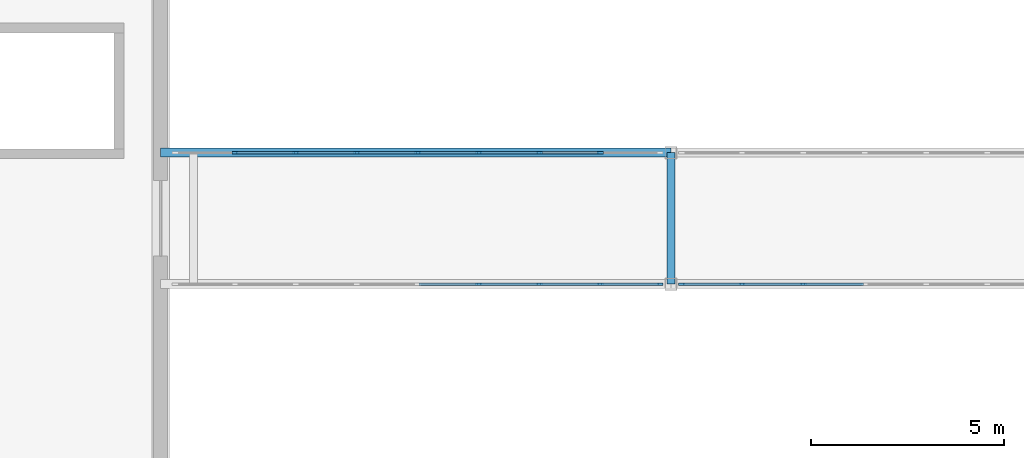
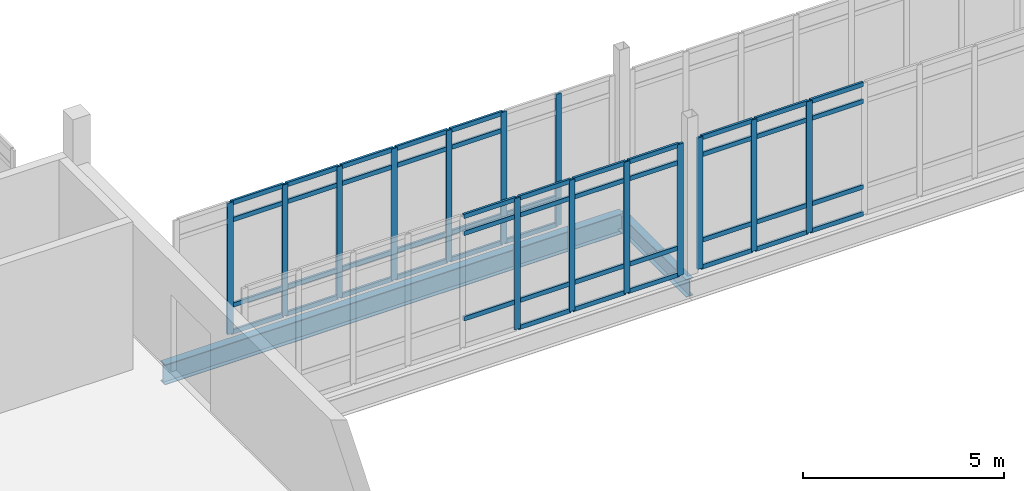
# One storey, part 11 of 101: 63 members, 2 beams, 3 elements without a shape of their own.
"""IFC4 building model written with IfcOpenShell, lengths in metres."""

from ifc_helpers import new_model, si_unit, direction, frame, origin, origin_2d, place, context, subcontext, project, spatial, rectangle, i_section, extrude, material, material_profile, profile_set, type_object, element, aggregate, save


model = new_model("IFC4")

# Units and contexts
model_context = context("Model", 3, precision=1e-05, world=origin(), true_north=direction((0.0, 1.0)))
body_context = subcontext(model_context, "Body", "Model", "MODEL_VIEW")
ifc_project = project(units=[si_unit("LENGTHUNIT", "METRE"), si_unit("AREAUNIT", "SQUARE_METRE"), si_unit("VOLUMEUNIT", "CUBIC_METRE"), si_unit("PLANEANGLEUNIT", "RADIAN"), si_unit("MASSUNIT", "GRAM", prefix="KILO")], contexts=[model_context])

# Site, building, storey
site_placement = place(None, origin())
site = spatial("IfcSite", under=ifc_project, at=site_placement, CompositionType="ELEMENT")
building_placement = place(site_placement, origin())
building = spatial("IfcBuilding", under=site, at=building_placement, Name="Dornvale Research Institute", CompositionType="ELEMENT")
storey_placement = place(building_placement, frame((0.0, 0.0, 10.199951171875)))
storey = spatial("IfcBuildingStorey", under=building, at=storey_placement, Name="L02", CompositionType="ELEMENT", Elevation=10.199951171875)

# Beams
ifc_material_1 = material(Name="Steel ASTM A992 Grade 50", Category="steel")
ifc_material_profile_1 = material_profile(ifc_material_1, i_section(OverallWidth=0.2099609375, OverallDepth=0.535888671875, WebThickness=0.010986328125, FlangeThickness=0.017333984375, at=origin_2d()), Name="W21X68")
ifc_profile_set_1 = profile_set([ifc_material_profile_1], Name="Steel ASTM A992 Grade 50")
beam_type_1 = type_object("IfcBeamType", Name="Beam_Steel_W21X68_Ext", PredefinedType="BEAM", material=ifc_profile_set_1)
beam_1_placement = place(storey_placement, frame((59.39990234375, 18.699951171875, -0.488037109375), z_axis=(0.0, 1.0, 0.0), x_axis=(-1.0, 0.0, 0.0)))
element("IfcBeam", 1, at=beam_1_placement, inside=storey, type_object=beam_type_1, Name="L02 BR-6 portal cap beam #2026", PredefinedType="BEAM", context=body_context, shape_type="SweptSolid", body=[
    extrude(i_section(OverallWidth=0.2099609375, OverallDepth=0.535888671875, WebThickness=0.010986328125, FlangeThickness=0.017333984375, at=origin_2d()), origin(), (0.0, 0.0, 1.0), 3.400146484375),
])
ifc_material_2 = material(Name="Steel ASTM A992 Grade 50", Category="steel")
ifc_material_profile_2 = material_profile(ifc_material_2, i_section(OverallWidth=0.22900390625, OverallDepth=0.612060546875, WebThickness=0.011962890625, FlangeThickness=0.01953125, at=origin_2d()), Name="W24X84")
ifc_profile_set_2 = profile_set([ifc_material_profile_2], Name="Steel ASTM A992 Grade 50")
beam_type_2 = type_object("IfcBeamType", Name="Beam_Steel_W24X84_Bridge", PredefinedType="BEAM", material=ifc_profile_set_2)
beam_2_placement = place(storey_placement, frame((46.199951171875, 22.10009765625, -0.52587890625), z_axis=(1.0, 0.0, 0.0), x_axis=(0.0, 1.0, 0.0)))
element("IfcBeam", 2, at=beam_2_placement, inside=storey, type_object=beam_type_2, Name="L02 BR-6 north girder #2026", PredefinedType="BEAM", context=body_context, shape_type="SweptSolid", body=[
    extrude(i_section(OverallWidth=0.22900390625, OverallDepth=0.612060546875, WebThickness=0.011962890625, FlangeThickness=0.01953125, at=origin_2d()), origin(), (0.0, 0.0, 1.0), 13.199951171875),
])

# Curtain wall, members
ifc_material_3 = material(Name="Low-E Argon Double Insulating Glazing Unit", Category="glass")
curtain_wall_type_1 = type_object("IfcCurtainWallType", Name="UnitisedCurtainWall_V2_12600x4000", PredefinedType="USERDEFINED", material=ifc_material_3)
curtain_wall_1_placement = place(storey_placement, origin())
curtain_wall_1 = element("IfcCurtainWall", 3, at=curtain_wall_1_placement, inside=storey, type_object=curtain_wall_type_1, Name="L02 V2 unitised curtain wall CW-41 #223", ObjectType="UNITISED CURTAIN WALL", PredefinedType="USERDEFINED")
ifc_material_4 = material(Name="Anodized Aluminum AA 6063-T6 Thermally Broken Frame", Category="aluminium")
ifc_material_profile_3 = material_profile(ifc_material_4, rectangle(XDim=0.06494140625, YDim=0.1650390625, at=origin_2d()), Name="ALU MULLION 65x165")
ifc_profile_set_3 = profile_set([ifc_material_profile_3], Name="Anodized Aluminum AA 6063-T6 Thermally Broken Frame")
member_type_1 = type_object("IfcMemberType", Name="Mullion_Atrium_65x165", PredefinedType="MULLION", material=ifc_profile_set_3)
member_1_placement = place(storey_placement, frame((48.125, 22.10009765625, 0.0), z_axis=(0.0, 0.0, 1.0), x_axis=(0.0, 1.0, 0.0)))
member_1 = element("IfcMember", 4, at=member_1_placement, type_object=member_type_1, Name="CW-41 mullion 2", PredefinedType="MULLION", context=body_context, shape_type="SweptSolid", body=[
    extrude(rectangle(XDim=0.06494140625, YDim=0.1650390625, at=origin_2d()), origin(), (0.0, 0.0, 1.0), 4.0),
])
member_2_placement = place(storey_placement, frame((49.699951171875, 22.10009765625, 0.0), z_axis=(0.0, 0.0, 1.0), x_axis=(0.0, 1.0, 0.0)))
member_2 = element("IfcMember", 5, at=member_2_placement, type_object=member_type_1, Name="CW-41 mullion 3", PredefinedType="MULLION", context=body_context, shape_type="SweptSolid", body=[
    extrude(rectangle(XDim=0.06494140625, YDim=0.1650390625, at=origin_2d()), origin(), (0.0, 0.0, 1.0), 4.0),
])
member_3_placement = place(storey_placement, frame((51.27490234375, 22.10009765625, 0.0), z_axis=(0.0, 0.0, 1.0), x_axis=(0.0, 1.0, 0.0)))
member_3 = element("IfcMember", 6, at=member_3_placement, type_object=member_type_1, Name="CW-41 mullion 4", PredefinedType="MULLION", context=body_context, shape_type="SweptSolid", body=[
    extrude(rectangle(XDim=0.06494140625, YDim=0.1650390625, at=origin_2d()), origin(), (0.0, 0.0, 1.0), 4.0),
])
member_4_placement = place(storey_placement, frame((52.85009765625, 22.10009765625, 0.0), z_axis=(0.0, 0.0, 1.0), x_axis=(0.0, 1.0, 0.0)))
member_4 = element("IfcMember", 7, at=member_4_placement, type_object=member_type_1, Name="CW-41 mullion 5", PredefinedType="MULLION", context=body_context, shape_type="SweptSolid", body=[
    extrude(rectangle(XDim=0.06494140625, YDim=0.1650390625, at=origin_2d()), origin(), (0.0, 0.0, 1.0), 4.0),
])
member_5_placement = place(storey_placement, frame((54.425048828125, 22.10009765625, 0.0), z_axis=(0.0, 0.0, 1.0), x_axis=(0.0, 1.0, 0.0)))
member_5 = element("IfcMember", 8, at=member_5_placement, type_object=member_type_1, Name="CW-41 mullion 6", PredefinedType="MULLION", context=body_context, shape_type="SweptSolid", body=[
    extrude(rectangle(XDim=0.06494140625, YDim=0.1650390625, at=origin_2d()), origin(), (0.0, 0.0, 1.0), 4.0),
])
member_6_placement = place(storey_placement, frame((56.0, 22.10009765625, 0.0), z_axis=(0.0, 0.0, 1.0), x_axis=(0.0, 1.0, 0.0)))
member_6 = element("IfcMember", 9, at=member_6_placement, type_object=member_type_1, Name="CW-41 mullion 7", PredefinedType="MULLION", context=body_context, shape_type="SweptSolid", body=[
    extrude(rectangle(XDim=0.06494140625, YDim=0.1650390625, at=origin_2d()), origin(), (0.0, 0.0, 1.0), 4.0),
])
member_7_placement = place(storey_placement, frame((57.574951171875, 22.10009765625, 0.0), z_axis=(0.0, 0.0, 1.0), x_axis=(0.0, 1.0, 0.0)))
member_7 = element("IfcMember", 10, at=member_7_placement, type_object=member_type_1, Name="CW-41 mullion 8", PredefinedType="MULLION", context=body_context, shape_type="SweptSolid", body=[
    extrude(rectangle(XDim=0.06494140625, YDim=0.1650390625, at=origin_2d()), origin(), (0.0, 0.0, 1.0), 4.0),
])

curtain_wall_2_placement = place(storey_placement, origin())
curtain_wall_2 = element("IfcCurtainWall", 11, at=curtain_wall_2_placement, inside=storey, type_object=curtain_wall_type_1, Name="L02 V2 unitised curtain wall CW-41 #224", ObjectType="UNITISED CURTAIN WALL", PredefinedType="USERDEFINED")
member_8_placement = place(storey_placement, frame((59.117431640625, 18.699951171875, 0.0), z_axis=(0.0, 0.0, 1.0), x_axis=(0.0, -1.0, 0.0)))
member_8 = element("IfcMember", 12, at=member_8_placement, type_object=member_type_1, Name="CW-41 mullion 1", PredefinedType="MULLION", context=body_context, shape_type="SweptSolid", body=[
    extrude(rectangle(XDim=0.06494140625, YDim=0.1650390625, at=origin_2d()), origin(), (0.0, 0.0, 1.0), 4.0),
])
member_9_placement = place(storey_placement, frame((57.574951171875, 18.699951171875, 0.0), z_axis=(0.0, 0.0, 1.0), x_axis=(0.0, -1.0, 0.0)))
member_9 = element("IfcMember", 13, at=member_9_placement, type_object=member_type_1, Name="CW-41 mullion 2", PredefinedType="MULLION", context=body_context, shape_type="SweptSolid", body=[
    extrude(rectangle(XDim=0.06494140625, YDim=0.1650390625, at=origin_2d()), origin(), (0.0, 0.0, 1.0), 4.0),
])
member_10_placement = place(storey_placement, frame((56.0, 18.699951171875, 0.0), z_axis=(0.0, 0.0, 1.0), x_axis=(0.0, -1.0, 0.0)))
member_10 = element("IfcMember", 14, at=member_10_placement, type_object=member_type_1, Name="CW-41 mullion 3", PredefinedType="MULLION", context=body_context, shape_type="SweptSolid", body=[
    extrude(rectangle(XDim=0.06494140625, YDim=0.1650390625, at=origin_2d()), origin(), (0.0, 0.0, 1.0), 4.0),
])
member_11_placement = place(storey_placement, frame((54.425048828125, 18.699951171875, 0.0), z_axis=(0.0, 0.0, 1.0), x_axis=(0.0, -1.0, 0.0)))
member_11 = element("IfcMember", 15, at=member_11_placement, type_object=member_type_1, Name="CW-41 mullion 4", PredefinedType="MULLION", context=body_context, shape_type="SweptSolid", body=[
    extrude(rectangle(XDim=0.06494140625, YDim=0.1650390625, at=origin_2d()), origin(), (0.0, 0.0, 1.0), 4.0),
])

ifc_material_5 = material(Name="Low-E Argon Double Insulating Glazing Unit", Category="glass")
curtain_wall_type_2 = type_object("IfcCurtainWallType", Name="UnitisedCurtainWall_V2_12700x4000", PredefinedType="USERDEFINED", material=ifc_material_5)
curtain_wall_3_placement = place(storey_placement, origin())
curtain_wall_3 = element("IfcCurtainWall", 16, at=curtain_wall_3_placement, inside=storey, type_object=curtain_wall_type_2, Name="L02 V2 unitised curtain wall CW-42 #226", ObjectType="UNITISED CURTAIN WALL", PredefinedType="USERDEFINED")
member_12_placement = place(storey_placement, frame((62.824951171875, 18.699951171875, 0.0), z_axis=(0.0, 0.0, 1.0), x_axis=(0.0, -1.0, 0.0)))
member_12 = element("IfcMember", 17, at=member_12_placement, type_object=member_type_1, Name="CW-42 mullion 7", PredefinedType="MULLION", context=body_context, shape_type="SweptSolid", body=[
    extrude(rectangle(XDim=0.06494140625, YDim=0.1650390625, at=origin_2d()), origin(), (0.0, 0.0, 1.0), 4.0),
])
member_13_placement = place(storey_placement, frame((61.237548828125, 18.699951171875, 0.0), z_axis=(0.0, 0.0, 1.0), x_axis=(0.0, -1.0, 0.0)))
member_13 = element("IfcMember", 18, at=member_13_placement, type_object=member_type_1, Name="CW-42 mullion 8", PredefinedType="MULLION", context=body_context, shape_type="SweptSolid", body=[
    extrude(rectangle(XDim=0.06494140625, YDim=0.1650390625, at=origin_2d()), origin(), (0.0, 0.0, 1.0), 4.0),
])
member_14_placement = place(storey_placement, frame((59.6826171875, 18.699951171875, 0.0), z_axis=(0.0, 0.0, 1.0), x_axis=(0.0, -1.0, 0.0)))
member_14 = element("IfcMember", 19, at=member_14_placement, type_object=member_type_1, Name="CW-42 mullion 9", PredefinedType="MULLION", context=body_context, shape_type="SweptSolid", body=[
    extrude(rectangle(XDim=0.06494140625, YDim=0.1650390625, at=origin_2d()), origin(), (0.0, 0.0, 1.0), 4.0),
])

# Member
ifc_material_6 = material(Name="Anodized Aluminum AA 6063-T6 Thermally Broken Frame", Category="aluminium")
ifc_material_profile_4 = material_profile(ifc_material_6, rectangle(XDim=0.06494140625, YDim=0.135009765625, at=origin_2d()), Name="ALU TRANSOM 65x135")
ifc_profile_set_4 = profile_set([ifc_material_profile_4], Name="Anodized Aluminum AA 6063-T6 Thermally Broken Frame")
member_type_2 = type_object("IfcMemberType", Name="Transom_CW_65x135", PredefinedType="USERDEFINED", material=ifc_profile_set_4)
member_15_placement = place(storey_placement, frame((48.157470703125, 22.10009765625, 0.032470703125), z_axis=(1.0, 0.0, 0.0), x_axis=(0.0, 1.0, 0.0)))
member_15 = element("IfcMember", 20, at=member_15_placement, type_object=member_type_2, Name="CW-41 transom 2.1", ObjectType="TRANSOM", PredefinedType="USERDEFINED", context=body_context, shape_type="SweptSolid", body=[
    extrude(rectangle(XDim=0.06494140625, YDim=0.135009765625, at=origin_2d()), origin(), (0.0, 0.0, 1.0), 1.510009765625),
])

member_16_placement = place(storey_placement, frame((48.157470703125, 22.10009765625, 0.85009765625), z_axis=(1.0, 0.0, 0.0), x_axis=(0.0, 1.0, 0.0)))
member_16 = element("IfcMember", 21, at=member_16_placement, type_object=member_type_2, Name="CW-41 transom 2.2", ObjectType="TRANSOM", PredefinedType="USERDEFINED", context=body_context, shape_type="SweptSolid", body=[
    extrude(rectangle(XDim=0.06494140625, YDim=0.135009765625, at=origin_2d()), origin(), (0.0, 0.0, 1.0), 1.510009765625),
])

member_17_placement = place(storey_placement, frame((48.157470703125, 22.10009765625, 3.449951171875), z_axis=(1.0, 0.0, 0.0), x_axis=(0.0, 1.0, 0.0)))
member_17 = element("IfcMember", 22, at=member_17_placement, type_object=member_type_2, Name="CW-41 transom 2.3", ObjectType="TRANSOM", PredefinedType="USERDEFINED", context=body_context, shape_type="SweptSolid", body=[
    extrude(rectangle(XDim=0.06494140625, YDim=0.135009765625, at=origin_2d()), origin(), (0.0, 0.0, 1.0), 1.510009765625),
])

member_18_placement = place(storey_placement, frame((48.157470703125, 22.10009765625, 3.967529296875), z_axis=(1.0, 0.0, 0.0), x_axis=(0.0, 1.0, 0.0)))
member_18 = element("IfcMember", 23, at=member_18_placement, type_object=member_type_2, Name="CW-41 transom 2.4", ObjectType="TRANSOM", PredefinedType="USERDEFINED", context=body_context, shape_type="SweptSolid", body=[
    extrude(rectangle(XDim=0.06494140625, YDim=0.135009765625, at=origin_2d()), origin(), (0.0, 0.0, 1.0), 1.510009765625),
])

member_19_placement = place(storey_placement, frame((49.732421875, 22.10009765625, 0.032470703125), z_axis=(1.0, 0.0, 0.0), x_axis=(0.0, 1.0, 0.0)))
member_19 = element("IfcMember", 24, at=member_19_placement, type_object=member_type_2, Name="CW-41 transom 3.1", ObjectType="TRANSOM", PredefinedType="USERDEFINED", context=body_context, shape_type="SweptSolid", body=[
    extrude(rectangle(XDim=0.06494140625, YDim=0.135009765625, at=origin_2d()), origin(), (0.0, 0.0, 1.0), 1.510009765625),
])

member_20_placement = place(storey_placement, frame((49.732421875, 22.10009765625, 0.85009765625), z_axis=(1.0, 0.0, 0.0), x_axis=(0.0, 1.0, 0.0)))
member_20 = element("IfcMember", 25, at=member_20_placement, type_object=member_type_2, Name="CW-41 transom 3.2", ObjectType="TRANSOM", PredefinedType="USERDEFINED", context=body_context, shape_type="SweptSolid", body=[
    extrude(rectangle(XDim=0.06494140625, YDim=0.135009765625, at=origin_2d()), origin(), (0.0, 0.0, 1.0), 1.510009765625),
])

member_21_placement = place(storey_placement, frame((49.732421875, 22.10009765625, 3.449951171875), z_axis=(1.0, 0.0, 0.0), x_axis=(0.0, 1.0, 0.0)))
member_21 = element("IfcMember", 26, at=member_21_placement, type_object=member_type_2, Name="CW-41 transom 3.3", ObjectType="TRANSOM", PredefinedType="USERDEFINED", context=body_context, shape_type="SweptSolid", body=[
    extrude(rectangle(XDim=0.06494140625, YDim=0.135009765625, at=origin_2d()), origin(), (0.0, 0.0, 1.0), 1.510009765625),
])

member_22_placement = place(storey_placement, frame((49.732421875, 22.10009765625, 3.967529296875), z_axis=(1.0, 0.0, 0.0), x_axis=(0.0, 1.0, 0.0)))
member_22 = element("IfcMember", 27, at=member_22_placement, type_object=member_type_2, Name="CW-41 transom 3.4", ObjectType="TRANSOM", PredefinedType="USERDEFINED", context=body_context, shape_type="SweptSolid", body=[
    extrude(rectangle(XDim=0.06494140625, YDim=0.135009765625, at=origin_2d()), origin(), (0.0, 0.0, 1.0), 1.510009765625),
])

member_23_placement = place(storey_placement, frame((51.3076171875, 22.10009765625, 0.032470703125), z_axis=(1.0, 0.0, 0.0), x_axis=(0.0, 1.0, 0.0)))
member_23 = element("IfcMember", 28, at=member_23_placement, type_object=member_type_2, Name="CW-41 transom 4.1", ObjectType="TRANSOM", PredefinedType="USERDEFINED", context=body_context, shape_type="SweptSolid", body=[
    extrude(rectangle(XDim=0.06494140625, YDim=0.135009765625, at=origin_2d()), origin(), (0.0, 0.0, 1.0), 1.509765625),
])

member_24_placement = place(storey_placement, frame((51.3076171875, 22.10009765625, 0.85009765625), z_axis=(1.0, 0.0, 0.0), x_axis=(0.0, 1.0, 0.0)))
member_24 = element("IfcMember", 29, at=member_24_placement, type_object=member_type_2, Name="CW-41 transom 4.2", ObjectType="TRANSOM", PredefinedType="USERDEFINED", context=body_context, shape_type="SweptSolid", body=[
    extrude(rectangle(XDim=0.06494140625, YDim=0.135009765625, at=origin_2d()), origin(), (0.0, 0.0, 1.0), 1.509765625),
])

member_25_placement = place(storey_placement, frame((51.3076171875, 22.10009765625, 3.449951171875), z_axis=(1.0, 0.0, 0.0), x_axis=(0.0, 1.0, 0.0)))
member_25 = element("IfcMember", 30, at=member_25_placement, type_object=member_type_2, Name="CW-41 transom 4.3", ObjectType="TRANSOM", PredefinedType="USERDEFINED", context=body_context, shape_type="SweptSolid", body=[
    extrude(rectangle(XDim=0.06494140625, YDim=0.135009765625, at=origin_2d()), origin(), (0.0, 0.0, 1.0), 1.509765625),
])

member_26_placement = place(storey_placement, frame((51.3076171875, 22.10009765625, 3.967529296875), z_axis=(1.0, 0.0, 0.0), x_axis=(0.0, 1.0, 0.0)))
member_26 = element("IfcMember", 31, at=member_26_placement, type_object=member_type_2, Name="CW-41 transom 4.4", ObjectType="TRANSOM", PredefinedType="USERDEFINED", context=body_context, shape_type="SweptSolid", body=[
    extrude(rectangle(XDim=0.06494140625, YDim=0.135009765625, at=origin_2d()), origin(), (0.0, 0.0, 1.0), 1.509765625),
])

member_27_placement = place(storey_placement, frame((52.882568359375, 22.10009765625, 0.032470703125), z_axis=(1.0, 0.0, 0.0), x_axis=(0.0, 1.0, 0.0)))
member_27 = element("IfcMember", 32, at=member_27_placement, type_object=member_type_2, Name="CW-41 transom 5.1", ObjectType="TRANSOM", PredefinedType="USERDEFINED", context=body_context, shape_type="SweptSolid", body=[
    extrude(rectangle(XDim=0.06494140625, YDim=0.135009765625, at=origin_2d()), origin(), (0.0, 0.0, 1.0), 1.510009765625),
])

member_28_placement = place(storey_placement, frame((52.882568359375, 22.10009765625, 0.85009765625), z_axis=(1.0, 0.0, 0.0), x_axis=(0.0, 1.0, 0.0)))
member_28 = element("IfcMember", 33, at=member_28_placement, type_object=member_type_2, Name="CW-41 transom 5.2", ObjectType="TRANSOM", PredefinedType="USERDEFINED", context=body_context, shape_type="SweptSolid", body=[
    extrude(rectangle(XDim=0.06494140625, YDim=0.135009765625, at=origin_2d()), origin(), (0.0, 0.0, 1.0), 1.510009765625),
])

member_29_placement = place(storey_placement, frame((52.882568359375, 22.10009765625, 3.449951171875), z_axis=(1.0, 0.0, 0.0), x_axis=(0.0, 1.0, 0.0)))
member_29 = element("IfcMember", 34, at=member_29_placement, type_object=member_type_2, Name="CW-41 transom 5.3", ObjectType="TRANSOM", PredefinedType="USERDEFINED", context=body_context, shape_type="SweptSolid", body=[
    extrude(rectangle(XDim=0.06494140625, YDim=0.135009765625, at=origin_2d()), origin(), (0.0, 0.0, 1.0), 1.510009765625),
])

member_30_placement = place(storey_placement, frame((52.882568359375, 22.10009765625, 3.967529296875), z_axis=(1.0, 0.0, 0.0), x_axis=(0.0, 1.0, 0.0)))
member_30 = element("IfcMember", 35, at=member_30_placement, type_object=member_type_2, Name="CW-41 transom 5.4", ObjectType="TRANSOM", PredefinedType="USERDEFINED", context=body_context, shape_type="SweptSolid", body=[
    extrude(rectangle(XDim=0.06494140625, YDim=0.135009765625, at=origin_2d()), origin(), (0.0, 0.0, 1.0), 1.510009765625),
])

member_31_placement = place(storey_placement, frame((54.45751953125, 22.10009765625, 0.032470703125), z_axis=(1.0, 0.0, 0.0), x_axis=(0.0, 1.0, 0.0)))
member_31 = element("IfcMember", 36, at=member_31_placement, type_object=member_type_2, Name="CW-41 transom 6.1", ObjectType="TRANSOM", PredefinedType="USERDEFINED", context=body_context, shape_type="SweptSolid", body=[
    extrude(rectangle(XDim=0.06494140625, YDim=0.135009765625, at=origin_2d()), origin(), (0.0, 0.0, 1.0), 1.510009765625),
])

member_32_placement = place(storey_placement, frame((54.45751953125, 22.10009765625, 0.85009765625), z_axis=(1.0, 0.0, 0.0), x_axis=(0.0, 1.0, 0.0)))
member_32 = element("IfcMember", 37, at=member_32_placement, type_object=member_type_2, Name="CW-41 transom 6.2", ObjectType="TRANSOM", PredefinedType="USERDEFINED", context=body_context, shape_type="SweptSolid", body=[
    extrude(rectangle(XDim=0.06494140625, YDim=0.135009765625, at=origin_2d()), origin(), (0.0, 0.0, 1.0), 1.510009765625),
])

member_33_placement = place(storey_placement, frame((54.45751953125, 22.10009765625, 3.449951171875), z_axis=(1.0, 0.0, 0.0), x_axis=(0.0, 1.0, 0.0)))
member_33 = element("IfcMember", 38, at=member_33_placement, type_object=member_type_2, Name="CW-41 transom 6.3", ObjectType="TRANSOM", PredefinedType="USERDEFINED", context=body_context, shape_type="SweptSolid", body=[
    extrude(rectangle(XDim=0.06494140625, YDim=0.135009765625, at=origin_2d()), origin(), (0.0, 0.0, 1.0), 1.510009765625),
])

member_34_placement = place(storey_placement, frame((54.45751953125, 22.10009765625, 3.967529296875), z_axis=(1.0, 0.0, 0.0), x_axis=(0.0, 1.0, 0.0)))
member_34 = element("IfcMember", 39, at=member_34_placement, type_object=member_type_2, Name="CW-41 transom 6.4", ObjectType="TRANSOM", PredefinedType="USERDEFINED", context=body_context, shape_type="SweptSolid", body=[
    extrude(rectangle(XDim=0.06494140625, YDim=0.135009765625, at=origin_2d()), origin(), (0.0, 0.0, 1.0), 1.510009765625),
])

member_35_placement = place(storey_placement, frame((56.032470703125, 22.10009765625, 0.032470703125), z_axis=(1.0, 0.0, 0.0), x_axis=(0.0, 1.0, 0.0)))
member_35 = element("IfcMember", 40, at=member_35_placement, type_object=member_type_2, Name="CW-41 transom 7.1", ObjectType="TRANSOM", PredefinedType="USERDEFINED", context=body_context, shape_type="SweptSolid", body=[
    extrude(rectangle(XDim=0.06494140625, YDim=0.135009765625, at=origin_2d()), origin(), (0.0, 0.0, 1.0), 1.510009765625),
])

member_36_placement = place(storey_placement, frame((56.032470703125, 22.10009765625, 0.85009765625), z_axis=(1.0, 0.0, 0.0), x_axis=(0.0, 1.0, 0.0)))
member_36 = element("IfcMember", 41, at=member_36_placement, type_object=member_type_2, Name="CW-41 transom 7.2", ObjectType="TRANSOM", PredefinedType="USERDEFINED", context=body_context, shape_type="SweptSolid", body=[
    extrude(rectangle(XDim=0.06494140625, YDim=0.135009765625, at=origin_2d()), origin(), (0.0, 0.0, 1.0), 1.510009765625),
])

aggregate(curtain_wall_1, [member_1, member_2, member_3, member_4, member_5, member_6, member_7, member_15, member_16, member_17, member_18, member_19, member_20, member_21, member_22, member_23, member_24, member_25, member_26, member_27, member_28, member_29, member_30, member_31, member_32, member_33, member_34, member_35, member_36])

member_37_placement = place(storey_placement, frame((59.0849609375, 18.699951171875, 0.032470703125), z_axis=(-1.0, 0.0, 0.0), x_axis=(0.0, -1.0, 0.0)))
member_37 = element("IfcMember", 42, at=member_37_placement, type_object=member_type_2, Name="CW-41 transom 1.1", ObjectType="TRANSOM", PredefinedType="USERDEFINED", context=body_context, shape_type="SweptSolid", body=[
    extrude(rectangle(XDim=0.06494140625, YDim=0.135009765625, at=origin_2d()), origin(), (0.0, 0.0, 1.0), 1.4775390625),
])

member_38_placement = place(storey_placement, frame((59.0849609375, 18.699951171875, 0.85009765625), z_axis=(-1.0, 0.0, 0.0), x_axis=(0.0, -1.0, 0.0)))
member_38 = element("IfcMember", 43, at=member_38_placement, type_object=member_type_2, Name="CW-41 transom 1.2", ObjectType="TRANSOM", PredefinedType="USERDEFINED", context=body_context, shape_type="SweptSolid", body=[
    extrude(rectangle(XDim=0.06494140625, YDim=0.135009765625, at=origin_2d()), origin(), (0.0, 0.0, 1.0), 1.4775390625),
])

member_39_placement = place(storey_placement, frame((59.0849609375, 18.699951171875, 3.449951171875), z_axis=(-1.0, 0.0, 0.0), x_axis=(0.0, -1.0, 0.0)))
member_39 = element("IfcMember", 44, at=member_39_placement, type_object=member_type_2, Name="CW-41 transom 1.3", ObjectType="TRANSOM", PredefinedType="USERDEFINED", context=body_context, shape_type="SweptSolid", body=[
    extrude(rectangle(XDim=0.06494140625, YDim=0.135009765625, at=origin_2d()), origin(), (0.0, 0.0, 1.0), 1.4775390625),
])

member_40_placement = place(storey_placement, frame((59.0849609375, 18.699951171875, 3.967529296875), z_axis=(-1.0, 0.0, 0.0), x_axis=(0.0, -1.0, 0.0)))
member_40 = element("IfcMember", 45, at=member_40_placement, type_object=member_type_2, Name="CW-41 transom 1.4", ObjectType="TRANSOM", PredefinedType="USERDEFINED", context=body_context, shape_type="SweptSolid", body=[
    extrude(rectangle(XDim=0.06494140625, YDim=0.135009765625, at=origin_2d()), origin(), (0.0, 0.0, 1.0), 1.4775390625),
])

member_41_placement = place(storey_placement, frame((57.54248046875, 18.699951171875, 0.032470703125), z_axis=(-1.0, 0.0, 0.0), x_axis=(0.0, -1.0, 0.0)))
member_41 = element("IfcMember", 46, at=member_41_placement, type_object=member_type_2, Name="CW-41 transom 2.1", ObjectType="TRANSOM", PredefinedType="USERDEFINED", context=body_context, shape_type="SweptSolid", body=[
    extrude(rectangle(XDim=0.06494140625, YDim=0.135009765625, at=origin_2d()), origin(), (0.0, 0.0, 1.0), 1.510009765625),
])

member_42_placement = place(storey_placement, frame((57.54248046875, 18.699951171875, 0.85009765625), z_axis=(-1.0, 0.0, 0.0), x_axis=(0.0, -1.0, 0.0)))
member_42 = element("IfcMember", 47, at=member_42_placement, type_object=member_type_2, Name="CW-41 transom 2.2", ObjectType="TRANSOM", PredefinedType="USERDEFINED", context=body_context, shape_type="SweptSolid", body=[
    extrude(rectangle(XDim=0.06494140625, YDim=0.135009765625, at=origin_2d()), origin(), (0.0, 0.0, 1.0), 1.510009765625),
])

member_43_placement = place(storey_placement, frame((57.54248046875, 18.699951171875, 3.449951171875), z_axis=(-1.0, 0.0, 0.0), x_axis=(0.0, -1.0, 0.0)))
member_43 = element("IfcMember", 48, at=member_43_placement, type_object=member_type_2, Name="CW-41 transom 2.3", ObjectType="TRANSOM", PredefinedType="USERDEFINED", context=body_context, shape_type="SweptSolid", body=[
    extrude(rectangle(XDim=0.06494140625, YDim=0.135009765625, at=origin_2d()), origin(), (0.0, 0.0, 1.0), 1.510009765625),
])

member_44_placement = place(storey_placement, frame((57.54248046875, 18.699951171875, 3.967529296875), z_axis=(-1.0, 0.0, 0.0), x_axis=(0.0, -1.0, 0.0)))
member_44 = element("IfcMember", 49, at=member_44_placement, type_object=member_type_2, Name="CW-41 transom 2.4", ObjectType="TRANSOM", PredefinedType="USERDEFINED", context=body_context, shape_type="SweptSolid", body=[
    extrude(rectangle(XDim=0.06494140625, YDim=0.135009765625, at=origin_2d()), origin(), (0.0, 0.0, 1.0), 1.510009765625),
])

member_45_placement = place(storey_placement, frame((55.967529296875, 18.699951171875, 0.032470703125), z_axis=(-1.0, 0.0, 0.0), x_axis=(0.0, -1.0, 0.0)))
member_45 = element("IfcMember", 50, at=member_45_placement, type_object=member_type_2, Name="CW-41 transom 3.1", ObjectType="TRANSOM", PredefinedType="USERDEFINED", context=body_context, shape_type="SweptSolid", body=[
    extrude(rectangle(XDim=0.06494140625, YDim=0.135009765625, at=origin_2d()), origin(), (0.0, 0.0, 1.0), 1.510009765625),
])

member_46_placement = place(storey_placement, frame((55.967529296875, 18.699951171875, 0.85009765625), z_axis=(-1.0, 0.0, 0.0), x_axis=(0.0, -1.0, 0.0)))
member_46 = element("IfcMember", 51, at=member_46_placement, type_object=member_type_2, Name="CW-41 transom 3.2", ObjectType="TRANSOM", PredefinedType="USERDEFINED", context=body_context, shape_type="SweptSolid", body=[
    extrude(rectangle(XDim=0.06494140625, YDim=0.135009765625, at=origin_2d()), origin(), (0.0, 0.0, 1.0), 1.510009765625),
])

member_47_placement = place(storey_placement, frame((55.967529296875, 18.699951171875, 3.449951171875), z_axis=(-1.0, 0.0, 0.0), x_axis=(0.0, -1.0, 0.0)))
member_47 = element("IfcMember", 52, at=member_47_placement, type_object=member_type_2, Name="CW-41 transom 3.3", ObjectType="TRANSOM", PredefinedType="USERDEFINED", context=body_context, shape_type="SweptSolid", body=[
    extrude(rectangle(XDim=0.06494140625, YDim=0.135009765625, at=origin_2d()), origin(), (0.0, 0.0, 1.0), 1.510009765625),
])

member_48_placement = place(storey_placement, frame((55.967529296875, 18.699951171875, 3.967529296875), z_axis=(-1.0, 0.0, 0.0), x_axis=(0.0, -1.0, 0.0)))
member_48 = element("IfcMember", 53, at=member_48_placement, type_object=member_type_2, Name="CW-41 transom 3.4", ObjectType="TRANSOM", PredefinedType="USERDEFINED", context=body_context, shape_type="SweptSolid", body=[
    extrude(rectangle(XDim=0.06494140625, YDim=0.135009765625, at=origin_2d()), origin(), (0.0, 0.0, 1.0), 1.510009765625),
])

member_49_placement = place(storey_placement, frame((54.392578125, 18.699951171875, 0.85009765625), z_axis=(-1.0, 0.0, 0.0), x_axis=(0.0, -1.0, 0.0)))
member_49 = element("IfcMember", 54, at=member_49_placement, type_object=member_type_2, Name="CW-41 transom 4.2", ObjectType="TRANSOM", PredefinedType="USERDEFINED", context=body_context, shape_type="SweptSolid", body=[
    extrude(rectangle(XDim=0.06494140625, YDim=0.135009765625, at=origin_2d()), origin(), (0.0, 0.0, 1.0), 1.510009765625),
])

member_50_placement = place(storey_placement, frame((54.392578125, 18.699951171875, 3.449951171875), z_axis=(-1.0, 0.0, 0.0), x_axis=(0.0, -1.0, 0.0)))
member_50 = element("IfcMember", 55, at=member_50_placement, type_object=member_type_2, Name="CW-41 transom 4.3", ObjectType="TRANSOM", PredefinedType="USERDEFINED", context=body_context, shape_type="SweptSolid", body=[
    extrude(rectangle(XDim=0.06494140625, YDim=0.135009765625, at=origin_2d()), origin(), (0.0, 0.0, 1.0), 1.510009765625),
])

member_51_placement = place(storey_placement, frame((54.392578125, 18.699951171875, 3.967529296875), z_axis=(-1.0, 0.0, 0.0), x_axis=(0.0, -1.0, 0.0)))
member_51 = element("IfcMember", 56, at=member_51_placement, type_object=member_type_2, Name="CW-41 transom 4.4", ObjectType="TRANSOM", PredefinedType="USERDEFINED", context=body_context, shape_type="SweptSolid", body=[
    extrude(rectangle(XDim=0.06494140625, YDim=0.135009765625, at=origin_2d()), origin(), (0.0, 0.0, 1.0), 1.510009765625),
])

aggregate(curtain_wall_2, [member_8, member_9, member_10, member_11, member_37, member_38, member_39, member_40, member_41, member_42, member_43, member_44, member_45, member_46, member_47, member_48, member_49, member_50, member_51])

member_52_placement = place(storey_placement, frame((64.3798828125, 18.699951171875, 0.032470703125), z_axis=(-1.0, 0.0, 0.0), x_axis=(0.0, -1.0, 0.0)))
member_52 = element("IfcMember", 57, at=member_52_placement, type_object=member_type_2, Name="CW-42 transom 6.1", ObjectType="TRANSOM", PredefinedType="USERDEFINED", context=body_context, shape_type="SweptSolid", body=[
    extrude(rectangle(XDim=0.06494140625, YDim=0.135009765625, at=origin_2d()), origin(), (0.0, 0.0, 1.0), 1.5224609375),
])

member_53_placement = place(storey_placement, frame((64.3798828125, 18.699951171875, 0.85009765625), z_axis=(-1.0, 0.0, 0.0), x_axis=(0.0, -1.0, 0.0)))
member_53 = element("IfcMember", 58, at=member_53_placement, type_object=member_type_2, Name="CW-42 transom 6.2", ObjectType="TRANSOM", PredefinedType="USERDEFINED", context=body_context, shape_type="SweptSolid", body=[
    extrude(rectangle(XDim=0.06494140625, YDim=0.135009765625, at=origin_2d()), origin(), (0.0, 0.0, 1.0), 1.5224609375),
])

member_54_placement = place(storey_placement, frame((64.3798828125, 18.699951171875, 3.449951171875), z_axis=(-1.0, 0.0, 0.0), x_axis=(0.0, -1.0, 0.0)))
member_54 = element("IfcMember", 59, at=member_54_placement, type_object=member_type_2, Name="CW-42 transom 6.3", ObjectType="TRANSOM", PredefinedType="USERDEFINED", context=body_context, shape_type="SweptSolid", body=[
    extrude(rectangle(XDim=0.06494140625, YDim=0.135009765625, at=origin_2d()), origin(), (0.0, 0.0, 1.0), 1.5224609375),
])

member_55_placement = place(storey_placement, frame((64.3798828125, 18.699951171875, 3.967529296875), z_axis=(-1.0, 0.0, 0.0), x_axis=(0.0, -1.0, 0.0)))
member_55 = element("IfcMember", 60, at=member_55_placement, type_object=member_type_2, Name="CW-42 transom 6.4", ObjectType="TRANSOM", PredefinedType="USERDEFINED", context=body_context, shape_type="SweptSolid", body=[
    extrude(rectangle(XDim=0.06494140625, YDim=0.135009765625, at=origin_2d()), origin(), (0.0, 0.0, 1.0), 1.5224609375),
])

member_56_placement = place(storey_placement, frame((62.79248046875, 18.699951171875, 0.032470703125), z_axis=(-1.0, 0.0, 0.0), x_axis=(0.0, -1.0, 0.0)))
member_56 = element("IfcMember", 61, at=member_56_placement, type_object=member_type_2, Name="CW-42 transom 7.1", ObjectType="TRANSOM", PredefinedType="USERDEFINED", context=body_context, shape_type="SweptSolid", body=[
    extrude(rectangle(XDim=0.06494140625, YDim=0.135009765625, at=origin_2d()), origin(), (0.0, 0.0, 1.0), 1.5224609375),
])

member_57_placement = place(storey_placement, frame((62.79248046875, 18.699951171875, 0.85009765625), z_axis=(-1.0, 0.0, 0.0), x_axis=(0.0, -1.0, 0.0)))
member_57 = element("IfcMember", 62, at=member_57_placement, type_object=member_type_2, Name="CW-42 transom 7.2", ObjectType="TRANSOM", PredefinedType="USERDEFINED", context=body_context, shape_type="SweptSolid", body=[
    extrude(rectangle(XDim=0.06494140625, YDim=0.135009765625, at=origin_2d()), origin(), (0.0, 0.0, 1.0), 1.5224609375),
])

member_58_placement = place(storey_placement, frame((62.79248046875, 18.699951171875, 3.449951171875), z_axis=(-1.0, 0.0, 0.0), x_axis=(0.0, -1.0, 0.0)))
member_58 = element("IfcMember", 63, at=member_58_placement, type_object=member_type_2, Name="CW-42 transom 7.3", ObjectType="TRANSOM", PredefinedType="USERDEFINED", context=body_context, shape_type="SweptSolid", body=[
    extrude(rectangle(XDim=0.06494140625, YDim=0.135009765625, at=origin_2d()), origin(), (0.0, 0.0, 1.0), 1.5224609375),
])

member_59_placement = place(storey_placement, frame((62.79248046875, 18.699951171875, 3.967529296875), z_axis=(-1.0, 0.0, 0.0), x_axis=(0.0, -1.0, 0.0)))
member_59 = element("IfcMember", 64, at=member_59_placement, type_object=member_type_2, Name="CW-42 transom 7.4", ObjectType="TRANSOM", PredefinedType="USERDEFINED", context=body_context, shape_type="SweptSolid", body=[
    extrude(rectangle(XDim=0.06494140625, YDim=0.135009765625, at=origin_2d()), origin(), (0.0, 0.0, 1.0), 1.5224609375),
])

member_60_placement = place(storey_placement, frame((61.205078125, 18.699951171875, 0.032470703125), z_axis=(-1.0, 0.0, 0.0), x_axis=(0.0, -1.0, 0.0)))
member_60 = element("IfcMember", 65, at=member_60_placement, type_object=member_type_2, Name="CW-42 transom 8.1", ObjectType="TRANSOM", PredefinedType="USERDEFINED", context=body_context, shape_type="SweptSolid", body=[
    extrude(rectangle(XDim=0.06494140625, YDim=0.135009765625, at=origin_2d()), origin(), (0.0, 0.0, 1.0), 1.489990234375),
])

member_61_placement = place(storey_placement, frame((61.205078125, 18.699951171875, 0.85009765625), z_axis=(-1.0, 0.0, 0.0), x_axis=(0.0, -1.0, 0.0)))
member_61 = element("IfcMember", 66, at=member_61_placement, type_object=member_type_2, Name="CW-42 transom 8.2", ObjectType="TRANSOM", PredefinedType="USERDEFINED", context=body_context, shape_type="SweptSolid", body=[
    extrude(rectangle(XDim=0.06494140625, YDim=0.135009765625, at=origin_2d()), origin(), (0.0, 0.0, 1.0), 1.489990234375),
])

member_62_placement = place(storey_placement, frame((61.205078125, 18.699951171875, 3.449951171875), z_axis=(-1.0, 0.0, 0.0), x_axis=(0.0, -1.0, 0.0)))
member_62 = element("IfcMember", 67, at=member_62_placement, type_object=member_type_2, Name="CW-42 transom 8.3", ObjectType="TRANSOM", PredefinedType="USERDEFINED", context=body_context, shape_type="SweptSolid", body=[
    extrude(rectangle(XDim=0.06494140625, YDim=0.135009765625, at=origin_2d()), origin(), (0.0, 0.0, 1.0), 1.489990234375),
])

member_63_placement = place(storey_placement, frame((61.205078125, 18.699951171875, 3.967529296875), z_axis=(-1.0, 0.0, 0.0), x_axis=(0.0, -1.0, 0.0)))
member_63 = element("IfcMember", 68, at=member_63_placement, type_object=member_type_2, Name="CW-42 transom 8.4", ObjectType="TRANSOM", PredefinedType="USERDEFINED", context=body_context, shape_type="SweptSolid", body=[
    extrude(rectangle(XDim=0.06494140625, YDim=0.135009765625, at=origin_2d()), origin(), (0.0, 0.0, 1.0), 1.489990234375),
])

aggregate(curtain_wall_3, [member_12, member_13, member_14, member_52, member_53, member_54, member_55, member_56, member_57, member_58, member_59, member_60, member_61, member_62, member_63])

save(model, "model.ifc")
